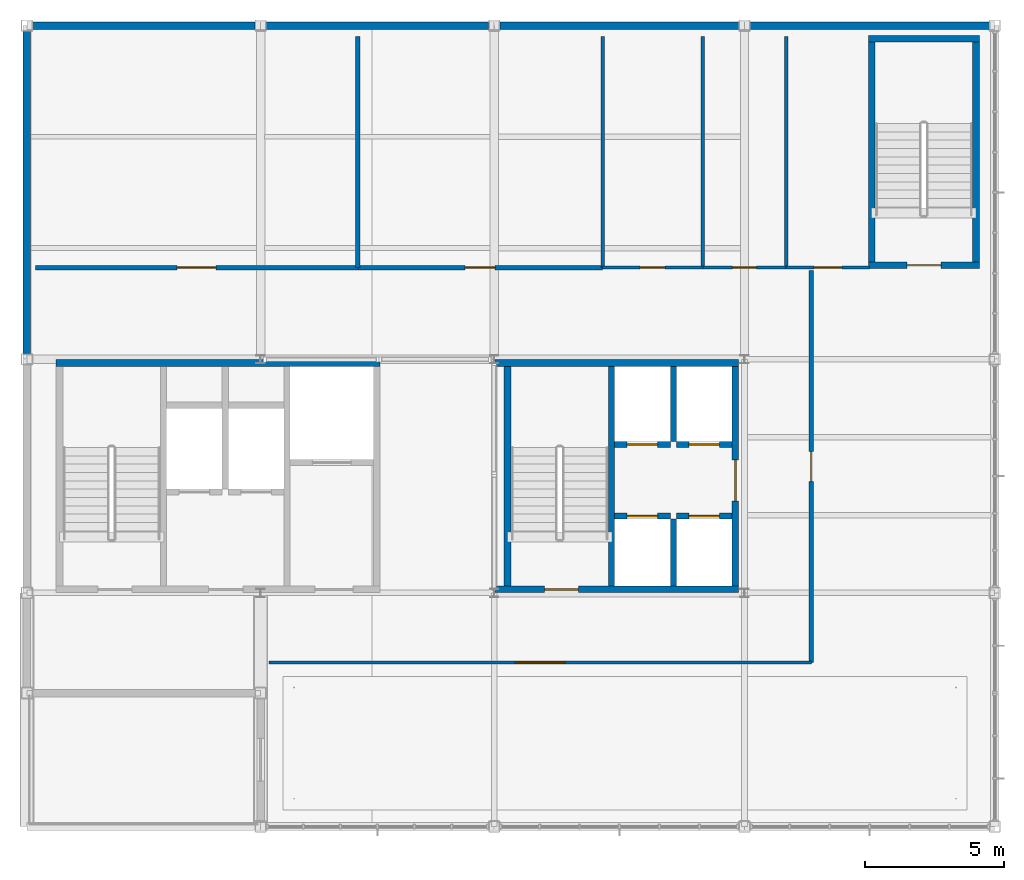
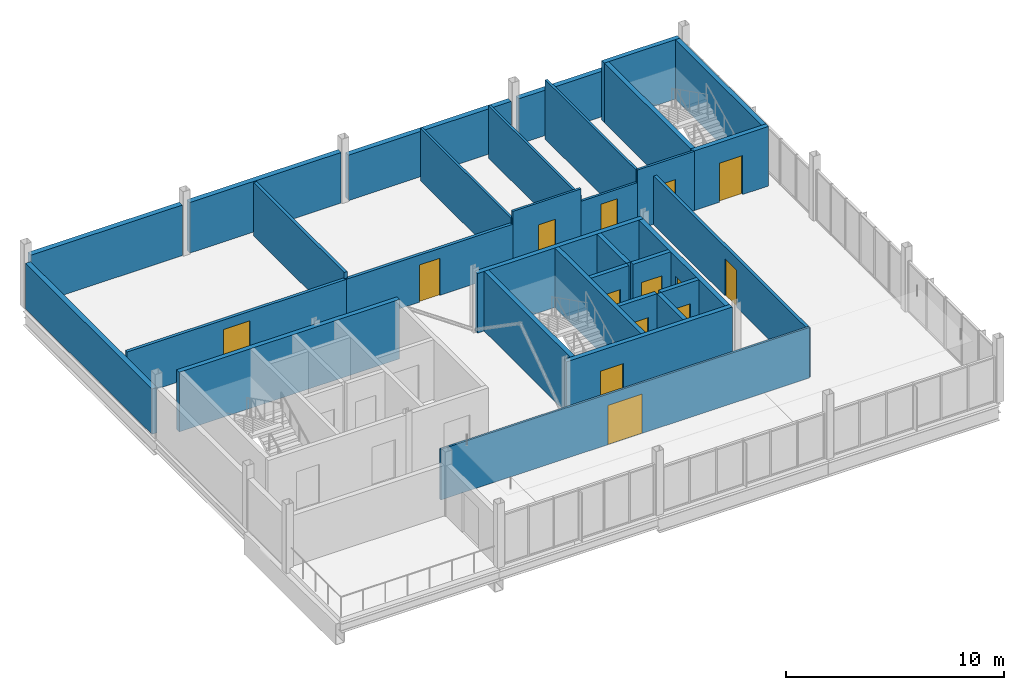
# One storey, part 12 of 17: 32 walls, 14 doors, 14 openings.
"""IFC4 building model written with IfcOpenShell, lengths in metres."""

from ifc_helpers import new_model, si_unit, direction, frame, frame_2d, origin, place, context, subcontext, project, spatial, rectangle, extrude, material, layer, layer_set, type_object, element, fill, save


model = new_model("IFC4")

# Units and contexts
model_context = context("Model", 3, precision=1e-05, world=origin(), true_north=direction((0.0, 1.0)))
body_context = subcontext(model_context, "Body", "Model", "MODEL_VIEW")
ifc_project = project(units=[si_unit("LENGTHUNIT", "METRE"), si_unit("AREAUNIT", "SQUARE_METRE"), si_unit("VOLUMEUNIT", "CUBIC_METRE"), si_unit("PLANEANGLEUNIT", "RADIAN"), si_unit("MASSUNIT", "GRAM", prefix="KILO")], contexts=[model_context])

# Site, building, storey
site_placement = place(None, origin())
site = spatial("IfcSite", under=ifc_project, at=site_placement, CompositionType="ELEMENT")
building_placement = place(site_placement, origin())
building = spatial("IfcBuilding", under=site, at=building_placement, Name="Yukiwa Park Conservatory and Herbarium", CompositionType="ELEMENT")
storey_placement = place(building_placement, frame((0.0, 0.0, 57.60009765625)))
storey = spatial("IfcBuildingStorey", under=building, at=storey_placement, Name="L15", CompositionType="ELEMENT", Elevation=57.60009765625)

# Walls
ifc_material_1 = material(Name="Concrete C40", Category="concrete")
ifc_layer_1 = layer(ifc_material_1, 0.219970703125)
ifc_layer_set_1 = layer_set([ifc_layer_1], Name="Concrete C40")
wall_type_1 = type_object("IfcWallType", Name="WL-CORE-RC220", PredefinedType="SHEAR", material=ifc_layer_set_1)
wall_1_placement = place(storey_placement, frame((154.219970703125, 95.050048828125, 0.0), z_axis=(0.0, 0.0, 1.0), x_axis=(0.0, 1.0, 0.0)))
element("IfcWall", 1, at=wall_1_placement, inside=storey, type_object=wall_type_1, Name="L15 core shear wall 838", PredefinedType="SHEAR", context=body_context, shape_type="SweptSolid", body=[
    extrude(rectangle(XDim=7.89990234375, YDim=0.219970703125, at=frame_2d((3.949951171875, 0.0))), origin(), (0.0, 0.0, 1.0), 3.329833984375),
])
wall_2_placement = place(storey_placement, frame((156.43994140625, 100.25, 0.0), z_axis=(0.0, 0.0, 1.0), x_axis=(0.0, 1.0, 0.0)))
element("IfcWall", 2, at=wall_2_placement, inside=storey, type_object=wall_type_1, Name="L15 core shear wall 840", PredefinedType="SHEAR", context=body_context, shape_type="SweptSolid", body=[
    extrude(rectangle(XDim=2.699951171875, YDim=0.219970703125, at=frame_2d((1.35009765625, 0.0))), origin(), (0.0, 0.0, 1.0), 3.329833984375),
])

# Wall, opening, door
wall_3_placement = place(storey_placement, frame((154.330078125, 100.139892578125, 0.0), z_axis=(0.0, 0.0, 1.0), x_axis=(1.0, 0.0, 0.0)))
wall_3 = element("IfcWall", 3, at=wall_3_placement, inside=storey, type_object=wall_type_1, Name="L15 core shear wall 841", PredefinedType="SHEAR", context=body_context, shape_type="SweptSolid", body=[
    extrude(rectangle(XDim=2.0, YDim=0.219970703125, at=frame_2d((1.0, 0.0))), origin(), (0.0, 0.0, 1.0), 3.329833984375),
])
opening_1_placement = place(wall_3_placement, frame((0.449951171875, 0.0, 0.0)))
opening_1 = element("IfcOpeningElement", 4, at=opening_1_placement, cuts=wall_3, Name="Opening LD-01", PredefinedType="OPENING", context=body_context, shape_type="SweptSolid", body=[
    extrude(rectangle(XDim=1.10009765625, YDim=2.14990234375, at=frame_2d((0.550048828125, 1.074951171875))), frame((0.0, 0.1201171875, 0.0), z_axis=(0.0, -1.0, 0.0), x_axis=(1.0, 0.0, 0.0)), (0.0, 0.0, 1.0), 0.239990234375),
])
ifc_material_2 = material(Name="Steel Q235B", Category="steel")
door_type_1 = type_object("IfcDoorType", Name="DR-LIFT-LD1100", OperationType="SLIDING_TO_LEFT", PredefinedType="DOOR", material=ifc_material_2)
door_1_placement = place(opening_1_placement, origin())
door_1 = element("IfcDoor", 5, at=door_1_placement, inside=storey, type_object=door_type_1, Name="L15 Passenger Lift LP1 sliding landing door", OperationType="SLIDING_TO_LEFT", OverallHeight=2.14990234375, OverallWidth=1.10009765625, PredefinedType="DOOR", context=body_context, shape_type="SweptSolid", body=[
    extrude(rectangle(XDim=1.10009765625, YDim=2.14990234375, at=frame_2d((0.550048828125, 1.074951171875))), frame((0.0, 0.02490234375, 0.0), z_axis=(0.0, -1.0, 0.0), x_axis=(1.0, 0.0, 0.0)), (0.0, 0.0, 1.0), 0.050048828125),
])
fill(opening_1, door_1)

wall_4_placement = place(storey_placement, frame((156.550048828125, 100.139892578125, 0.0), z_axis=(0.0, 0.0, 1.0), x_axis=(1.0, 0.0, 0.0)))
wall_4 = element("IfcWall", 6, at=wall_4_placement, inside=storey, type_object=wall_type_1, Name="L15 core shear wall 842", PredefinedType="SHEAR", context=body_context, shape_type="SweptSolid", body=[
    extrude(rectangle(XDim=2.0, YDim=0.219970703125, at=frame_2d((1.0, 0.0))), origin(), (0.0, 0.0, 1.0), 3.329833984375),
])
opening_2_placement = place(wall_4_placement, frame((0.449951171875, 0.0, 0.0)))
opening_2 = element("IfcOpeningElement", 7, at=opening_2_placement, cuts=wall_4, Name="Opening LD-01", PredefinedType="OPENING", context=body_context, shape_type="SweptSolid", body=[
    extrude(rectangle(XDim=1.10009765625, YDim=2.14990234375, at=frame_2d((0.550048828125, 1.074951171875))), frame((0.0, 0.1201171875, 0.0), z_axis=(0.0, -1.0, 0.0), x_axis=(1.0, 0.0, 0.0)), (0.0, 0.0, 1.0), 0.239990234375),
])
door_2_placement = place(opening_2_placement, origin())
door_2 = element("IfcDoor", 8, at=door_2_placement, inside=storey, type_object=door_type_1, Name="L15 Passenger Lift LP2 sliding landing door", OperationType="SLIDING_TO_LEFT", OverallHeight=2.14990234375, OverallWidth=1.10009765625, PredefinedType="DOOR", context=body_context, shape_type="SweptSolid", body=[
    extrude(rectangle(XDim=1.10009765625, YDim=2.14990234375, at=frame_2d((0.550048828125, 1.074951171875))), frame((0.0, 0.02490234375, 0.0), z_axis=(0.0, -1.0, 0.0), x_axis=(1.0, 0.0, 0.0)), (0.0, 0.0, 1.0), 0.050048828125),
])
fill(opening_2, door_2)

# Wall
wall_5_placement = place(storey_placement, frame((156.43994140625, 95.050048828125, 0.0), z_axis=(0.0, 0.0, 1.0), x_axis=(0.0, 1.0, 0.0)))
element("IfcWall", 9, at=wall_5_placement, inside=storey, type_object=wall_type_1, Name="L15 core shear wall 843", PredefinedType="SHEAR", context=body_context, shape_type="SweptSolid", body=[
    extrude(rectangle(XDim=2.39990234375, YDim=0.219970703125, at=frame_2d((1.199951171875, 0.0))), origin(), (0.0, 0.0, 1.0), 3.329833984375),
])

# Wall, opening, door
wall_6_placement = place(storey_placement, frame((154.330078125, 97.56005859375, 0.0), z_axis=(0.0, 0.0, 1.0), x_axis=(1.0, 0.0, 0.0)))
wall_6 = element("IfcWall", 10, at=wall_6_placement, inside=storey, type_object=wall_type_1, Name="L15 core shear wall 844", PredefinedType="SHEAR", context=body_context, shape_type="SweptSolid", body=[
    extrude(rectangle(XDim=2.0, YDim=0.219970703125, at=frame_2d((1.0, 0.0))), origin(), (0.0, 0.0, 1.0), 3.329833984375),
])
opening_3_placement = place(wall_6_placement, frame((0.449951171875, 0.0, 0.0)))
opening_3 = element("IfcOpeningElement", 11, at=opening_3_placement, cuts=wall_6, Name="Opening LD-01", PredefinedType="OPENING", context=body_context, shape_type="SweptSolid", body=[
    extrude(rectangle(XDim=1.10009765625, YDim=2.14990234375, at=frame_2d((0.550048828125, 1.074951171875))), frame((0.0, 0.1201171875, 0.0), z_axis=(0.0, -1.0, 0.0), x_axis=(1.0, 0.0, 0.0)), (0.0, 0.0, 1.0), 0.239990234375),
])
door_3_placement = place(opening_3_placement, origin())
door_3 = element("IfcDoor", 12, at=door_3_placement, inside=storey, type_object=door_type_1, Name="L15 Passenger Lift LP3 sliding landing door", OperationType="SLIDING_TO_LEFT", OverallHeight=2.14990234375, OverallWidth=1.10009765625, PredefinedType="DOOR", context=body_context, shape_type="SweptSolid", body=[
    extrude(rectangle(XDim=1.10009765625, YDim=2.14990234375, at=frame_2d((0.550048828125, 1.074951171875))), frame((0.0, 0.02490234375, 0.0), z_axis=(0.0, -1.0, 0.0), x_axis=(1.0, 0.0, 0.0)), (0.0, 0.0, 1.0), 0.050048828125),
])
fill(opening_3, door_3)

wall_7_placement = place(storey_placement, frame((156.550048828125, 97.56005859375, 0.0), z_axis=(0.0, 0.0, 1.0), x_axis=(1.0, 0.0, 0.0)))
wall_7 = element("IfcWall", 13, at=wall_7_placement, inside=storey, type_object=wall_type_1, Name="L15 core shear wall 845", PredefinedType="SHEAR", context=body_context, shape_type="SweptSolid", body=[
    extrude(rectangle(XDim=2.0, YDim=0.219970703125, at=frame_2d((1.0, 0.0))), origin(), (0.0, 0.0, 1.0), 3.329833984375),
])
opening_4_placement = place(wall_7_placement, frame((0.449951171875, 0.0, 0.0)))
opening_4 = element("IfcOpeningElement", 14, at=opening_4_placement, cuts=wall_7, Name="Opening LD-01", PredefinedType="OPENING", context=body_context, shape_type="SweptSolid", body=[
    extrude(rectangle(XDim=1.10009765625, YDim=2.14990234375, at=frame_2d((0.550048828125, 1.074951171875))), frame((0.0, 0.1201171875, 0.0), z_axis=(0.0, -1.0, 0.0), x_axis=(1.0, 0.0, 0.0)), (0.0, 0.0, 1.0), 0.239990234375),
])
door_4_placement = place(opening_4_placement, origin())
door_4 = element("IfcDoor", 15, at=door_4_placement, inside=storey, type_object=door_type_1, Name="L15 Passenger Lift LP4 sliding landing door", OperationType="SLIDING_TO_LEFT", OverallHeight=2.14990234375, OverallWidth=1.10009765625, PredefinedType="DOOR", context=body_context, shape_type="SweptSolid", body=[
    extrude(rectangle(XDim=1.10009765625, YDim=2.14990234375, at=frame_2d((0.550048828125, 1.074951171875))), frame((0.0, 0.02490234375, 0.0), z_axis=(0.0, -1.0, 0.0), x_axis=(1.0, 0.0, 0.0)), (0.0, 0.0, 1.0), 0.050048828125),
])
fill(opening_4, door_4)

# Wall
ifc_material_3 = material(Name="Concrete C50", Category="concrete")
ifc_layer_2 = layer(ifc_material_3, 0.239990234375)
ifc_layer_set_2 = layer_set([ifc_layer_2], Name="Concrete C50")
wall_type_2 = type_object("IfcWallType", Name="WL-CORE-RC240", PredefinedType="SHEAR", material=ifc_layer_set_2)
wall_8_placement = place(storey_placement, frame((134.25, 103.070068359375, 0.0), z_axis=(0.0, 0.0, 1.0), x_axis=(1.0, 0.0, 0.0)))
element("IfcWall", 16, at=wall_8_placement, inside=storey, type_object=wall_type_2, Name="L15 core shear wall 824", PredefinedType="SHEAR", context=body_context, shape_type="SweptSolid", body=[
    extrude(rectangle(XDim=11.64990234375, YDim=0.239990234375, at=frame_2d((5.824951171875, 0.0))), origin(), (0.0, 0.0, 1.0), 3.329833984375),
])

# Wall, opening, door
wall_9_placement = place(storey_placement, frame((150.02001953125, 94.929931640625, 0.0), z_axis=(0.0, 0.0, 1.0), x_axis=(1.0, 0.0, 0.0)))
wall_9 = element("IfcWall", 17, at=wall_9_placement, inside=storey, type_object=wall_type_2, Name="L15 core shear wall 835", PredefinedType="SHEAR", context=body_context, shape_type="SweptSolid", body=[
    extrude(rectangle(XDim=8.77001953125, YDim=0.239990234375, at=frame_2d((4.385009765625, 0.0))), origin(), (0.0, 0.0, 1.0), 3.329833984375),
])
opening_5_placement = place(wall_9_placement, frame((1.7900390625, 0.0, 0.0)))
opening_5 = element("IfcOpeningElement", 18, at=opening_5_placement, cuts=wall_9, Name="Opening SD-01", PredefinedType="OPENING", context=body_context, shape_type="SweptSolid", body=[
    extrude(rectangle(XDim=1.219970703125, YDim=2.179931640625, at=frame_2d((0.60986328125, 1.08984375))), frame((0.0, 0.1298828125, 0.0), z_axis=(0.0, -1.0, 0.0), x_axis=(1.0, 0.0, 0.0)), (0.0, 0.0, 1.0), 0.260009765625),
])
ifc_material_4 = material(Name="Steel Q235B", Category="steel")
door_type_2 = type_object("IfcDoorType", Name="DR-STAIR-FD90-1200", OperationType="SINGLE_SWING_LEFT", PredefinedType="DOOR", material=ifc_material_4)
door_5_placement = place(opening_5_placement, origin())
door_5 = element("IfcDoor", 19, at=door_5_placement, inside=storey, type_object=door_type_2, Name="L15 Stairwell ST-T2 fire door", OperationType="SINGLE_SWING_LEFT", OverallHeight=2.179931640625, OverallWidth=1.219970703125, PredefinedType="DOOR", context=body_context, shape_type="SweptSolid", body=[
    extrude(rectangle(XDim=1.219970703125, YDim=2.179931640625, at=frame_2d((0.60986328125, 1.08984375))), frame((0.0, 0.02490234375, 0.0), z_axis=(0.0, -1.0, 0.0), x_axis=(1.0, 0.0, 0.0)), (0.0, 0.0, 1.0), 0.050048828125),
])
fill(opening_5, door_5)

# Walls
wall_10_placement = place(storey_placement, frame((150.02001953125, 103.070068359375, 0.0), z_axis=(0.0, 0.0, 1.0), x_axis=(1.0, 0.0, 0.0)))
element("IfcWall", 20, at=wall_10_placement, inside=storey, type_object=wall_type_2, Name="L15 core shear wall 836", PredefinedType="SHEAR", context=body_context, shape_type="SweptSolid", body=[
    extrude(rectangle(XDim=8.77001953125, YDim=0.239990234375, at=frame_2d((4.385009765625, 0.0))), origin(), (0.0, 0.0, 1.0), 3.329833984375),
])
wall_11_placement = place(storey_placement, frame((150.47998046875, 95.050048828125, 0.0), z_axis=(0.0, 0.0, 1.0), x_axis=(0.0, 1.0, 0.0)))
element("IfcWall", 21, at=wall_11_placement, inside=storey, type_object=wall_type_2, Name="L15 core shear wall 837", PredefinedType="SHEAR", context=body_context, shape_type="SweptSolid", body=[
    extrude(rectangle(XDim=7.89990234375, YDim=0.239990234375, at=frame_2d((3.949951171875, 0.0))), origin(), (0.0, 0.0, 1.0), 3.329833984375),
])

# Wall, opening, door
wall_12_placement = place(storey_placement, frame((158.669921875, 95.050048828125, 0.0), z_axis=(0.0, 0.0, 1.0), x_axis=(0.0, 1.0, 0.0)))
wall_12 = element("IfcWall", 22, at=wall_12_placement, inside=storey, type_object=wall_type_2, Name="L15 core shear wall 839", PredefinedType="SHEAR", context=body_context, shape_type="SweptSolid", body=[
    extrude(rectangle(XDim=7.89990234375, YDim=0.239990234375, at=frame_2d((3.949951171875, 0.0))), origin(), (0.0, 0.0, 1.0), 3.329833984375),
])
opening_6_placement = place(wall_12_placement, frame((3.050048828125, 0.0, 0.0)))
opening_6 = element("IfcOpeningElement", 23, at=opening_6_placement, cuts=wall_12, Name="Opening FD-07", PredefinedType="OPENING", context=body_context, shape_type="SweptSolid", body=[
    extrude(rectangle(XDim=1.47998046875, YDim=2.219970703125, at=frame_2d((0.739990234375, 1.10986328125))), frame((0.0, 0.1298828125, 0.0), z_axis=(0.0, -1.0, 0.0), x_axis=(1.0, 0.0, 0.0)), (0.0, 0.0, 1.0), 0.260009765625),
])
ifc_material_5 = material(Name="Steel Q235B", Category="steel")
door_type_3 = type_object("IfcDoorType", Name="DR-FIRE-FD60-1500", OperationType="DOUBLE_DOOR_SINGLE_SWING", PredefinedType="DOOR", material=ifc_material_5)
door_6_placement = place(opening_6_placement, origin())
door_6 = element("IfcDoor", 24, at=door_6_placement, inside=storey, type_object=door_type_3, Name="L15 Tower Passenger Lift Lobby double fire door", OperationType="DOUBLE_DOOR_SINGLE_SWING", OverallHeight=2.219970703125, OverallWidth=1.47998046875, PredefinedType="DOOR", context=body_context, shape_type="SweptSolid", body=[
    extrude(rectangle(XDim=1.47998046875, YDim=2.219970703125, at=frame_2d((0.739990234375, 1.10986328125))), frame((0.0, 0.02490234375, 0.0), z_axis=(0.0, -1.0, 0.0), x_axis=(1.0, 0.0, 0.0)), (0.0, 0.0, 1.0), 0.050048828125),
])
fill(opening_6, door_6)

wall_13_placement = place(storey_placement, frame((163.449951171875, 106.580078125, 0.0), z_axis=(0.0, 0.0, 1.0), x_axis=(1.0, 0.0, 0.0)))
wall_13 = element("IfcWall", 25, at=wall_13_placement, inside=storey, type_object=wall_type_2, Name="L15 core shear wall 846", PredefinedType="SHEAR", context=body_context, shape_type="SweptSolid", body=[
    extrude(rectangle(XDim=3.989990234375, YDim=0.239990234375, at=frame_2d((1.9951171875, 0.0))), origin(), (0.0, 0.0, 1.0), 3.329833984375),
])
opening_7_placement = place(wall_13_placement, frame((1.39501953125, 0.0, 0.0)))
opening_7 = element("IfcOpeningElement", 26, at=opening_7_placement, cuts=wall_13, Name="Opening SD-01", PredefinedType="OPENING", context=body_context, shape_type="SweptSolid", body=[
    extrude(rectangle(XDim=1.219970703125, YDim=2.179931640625, at=frame_2d((0.60986328125, 1.08984375))), frame((0.0, 0.1298828125, 0.0), z_axis=(0.0, -1.0, 0.0), x_axis=(1.0, 0.0, 0.0)), (0.0, 0.0, 1.0), 0.260009765625),
])
door_7_placement = place(opening_7_placement, origin())
door_7 = element("IfcDoor", 27, at=door_7_placement, inside=storey, type_object=door_type_2, Name="L15 Stairwell ST-T3 fire door", OperationType="SINGLE_SWING_LEFT", OverallHeight=2.179931640625, OverallWidth=1.219970703125, PredefinedType="DOOR", context=body_context, shape_type="SweptSolid", body=[
    extrude(rectangle(XDim=1.219970703125, YDim=2.179931640625, at=frame_2d((0.60986328125, 1.08984375))), frame((0.0, 0.02490234375, 0.0), z_axis=(0.0, -1.0, 0.0), x_axis=(1.0, 0.0, 0.0)), (0.0, 0.0, 1.0), 0.050048828125),
])
fill(opening_7, door_7)

# Walls
wall_14_placement = place(storey_placement, frame((163.449951171875, 114.719970703125, 0.0), z_axis=(0.0, 0.0, 1.0), x_axis=(1.0, 0.0, 0.0)))
element("IfcWall", 28, at=wall_14_placement, inside=storey, type_object=wall_type_2, Name="L15 core shear wall 847", PredefinedType="SHEAR", context=body_context, shape_type="SweptSolid", body=[
    extrude(rectangle(XDim=3.989990234375, YDim=0.239990234375, at=frame_2d((1.9951171875, 0.0))), origin(), (0.0, 0.0, 1.0), 3.329833984375),
])
for number, where, z_axis, x_axis, name in (
    (29, (163.570068359375, 106.699951171875, 0.0), (0.0, 0.0, 1.0), (0.0, 1.0, 0.0), "L15 core shear wall 848"),
    (30, (167.320068359375, 106.699951171875, 0.0), (0.0, 0.0, 1.0), (0.0, 1.0, 0.0), "L15 core shear wall 849"),
):
    element("IfcWall", number, at=place(storey_placement, frame(where, z_axis=z_axis, x_axis=x_axis)), inside=storey, type_object=wall_type_2, Name=name, PredefinedType="SHEAR", context=body_context, shape_type="SweptSolid", body=[
        extrude(rectangle(XDim=7.900146484375, YDim=0.239990234375, at=frame_2d((3.9501953125, 0.0))), origin(), (0.0, 0.0, 1.0), 3.329833984375),
    ])
ifc_material_6 = material(Name="Anodised Aluminium", Category="aluminium")
ifc_layer_3 = layer(ifc_material_6, 0.27001953125)
ifc_layer_set_3 = layer_set([ifc_layer_3], Name="Anodised Aluminium")
wall_type_3 = type_object("IfcWallType", Name="WL-EXT-CROWN-270", PredefinedType="SOLIDWALL", material=ifc_layer_set_3)
for number, where, z_axis, x_axis, name in (
    (31, (167.800048828125, 115.199951171875, 0.0), (0.0, 0.0, 1.0), (-1.0, 0.0, 0.0), "L15 exterior envelope wall 394"),
    (32, (158.800048828125, 115.199951171875, 0.0), (0.0, 0.0, 1.0), (-1.0, 0.0, 0.0), "L15 exterior envelope wall 395"),
):
    element("IfcWall", number, at=place(storey_placement, frame(where, z_axis=z_axis, x_axis=x_axis)), inside=storey, type_object=wall_type_3, Name=name, PredefinedType="SOLIDWALL", context=body_context, shape_type="SweptSolid", body=[
        extrude(rectangle(XDim=8.60009765625, YDim=0.27001953125, at=frame_2d((4.300048828125, 0.0))), origin(), (0.0, 0.0, 1.0), 2.537841796875),
    ])
for number, where, z_axis, x_axis, name in (
    (33, (149.800048828125, 115.199951171875, 0.0), (0.0, 0.0, 1.0), (-1.0, 0.0, 0.0), "L15 exterior envelope wall 396"),
    (34, (141.39990234375, 115.199951171875, 0.0), (0.0, 0.0, 1.0), (-1.0, 0.0, 0.0), "L15 exterior envelope wall 397"),
):
    element("IfcWall", number, at=place(storey_placement, frame(where, z_axis=z_axis, x_axis=x_axis)), inside=storey, type_object=wall_type_3, Name=name, PredefinedType="SOLIDWALL", context=body_context, shape_type="SweptSolid", body=[
        extrude(rectangle(XDim=8.0, YDim=0.27001953125, at=frame_2d((4.0, 0.0))), origin(), (0.0, 0.0, 1.0), 2.829833984375),
    ])
wall_15_placement = place(storey_placement, frame((133.199951171875, 115.0, 0.0), z_axis=(0.0, 0.0, 1.0), x_axis=(0.0, -1.0, 0.0)))
element("IfcWall", 35, at=wall_15_placement, inside=storey, type_object=wall_type_3, Name="L15 exterior envelope wall 398", PredefinedType="SOLIDWALL", context=body_context, shape_type="SweptSolid", body=[
    extrude(rectangle(XDim=11.60009765625, YDim=0.27001953125, at=frame_2d((5.800048828125, 0.0))), origin(), (0.0, 0.0, 1.0), 2.537841796875),
])

# Wall, opening, door
ifc_material_7 = material(Name="Laminated Tempered Safety Glass", Category="glass")
ifc_layer_4 = layer(ifc_material_7, 0.10009765625)
ifc_layer_set_4 = layer_set([ifc_layer_4], Name="Laminated Tempered Safety Glass")
wall_type_4 = type_object("IfcWallType", Name="WL-PART-GLZ-150", PredefinedType="PARTITIONING", material=ifc_layer_set_4)
wall_16_placement = place(storey_placement, frame((141.89990234375, 92.300048828125, 0.0), z_axis=(0.0, 0.0, 1.0), x_axis=(1.0, 0.0, 0.0)))
wall_16 = element("IfcWall", 36, at=wall_16_placement, inside=storey, type_object=wall_type_4, Name="L15 interior partition wall 857", PredefinedType="PARTITIONING", context=body_context, shape_type="SweptSolid", body=[
    extrude(rectangle(XDim=19.5, YDim=0.10009765625, at=frame_2d((9.75, 0.0))), origin(), (0.0, 0.0, 1.0), 2.829833984375),
])
opening_8_placement = place(wall_16_placement, frame((8.85009765625, 0.0, 0.0)))
opening_8 = element("IfcOpeningElement", 37, at=opening_8_placement, cuts=wall_16, Name="Opening GD-18", PredefinedType="OPENING", context=body_context, shape_type="SweptSolid", body=[
    extrude(rectangle(XDim=1.800048828125, YDim=2.199951171875, at=frame_2d((0.89990234375, 1.10009765625))), frame((0.0, 0.06005859375, 0.0), z_axis=(0.0, -1.0, 0.0), x_axis=(1.0, 0.0, 0.0)), (0.0, 0.0, 1.0), 0.1201171875),
])
ifc_material_8 = material(Name="Laminated Tempered Safety Glass", Category="glass")
door_type_4 = type_object("IfcDoorType", Name="DR-GLZ-1800", OperationType="DOUBLE_DOOR_SINGLE_SWING", PredefinedType="DOOR", material=ifc_material_8)
door_8_placement = place(opening_8_placement, origin())
door_8 = element("IfcDoor", 38, at=door_8_placement, inside=storey, type_object=door_type_4, Name="L15 Sky Observation Gallery double door", OperationType="DOUBLE_DOOR_SINGLE_SWING", OverallHeight=2.199951171875, OverallWidth=1.800048828125, PredefinedType="DOOR", context=body_context, shape_type="SweptSolid", body=[
    extrude(rectangle(XDim=1.800048828125, YDim=2.199951171875, at=frame_2d((0.89990234375, 1.10009765625))), frame((0.0, 0.02490234375, 0.0), z_axis=(0.0, -1.0, 0.0), x_axis=(1.0, 0.0, 0.0)), (0.0, 0.0, 1.0), 0.050048828125),
])
fill(opening_8, door_8)

ifc_material_9 = material(Name="Gypsum Board Partition", Category="gypsum")
ifc_layer_5 = layer(ifc_material_9, 0.159912109375)
ifc_layer_set_5 = layer_set([ifc_layer_5], Name="Gypsum Board Partition")
wall_type_5 = type_object("IfcWallType", Name="WL-PART-GYP-160", PredefinedType="PARTITIONING", material=ifc_layer_set_5)
wall_17_placement = place(storey_placement, frame((161.39990234375, 92.300048828125, 0.0), z_axis=(0.0, 0.0, 1.0), x_axis=(0.0, 1.0, 0.0)))
wall_17 = element("IfcWall", 39, at=wall_17_placement, inside=storey, type_object=wall_type_5, Name="L15 interior partition wall 856", PredefinedType="PARTITIONING", context=body_context, shape_type="SweptSolid", body=[
    extrude(rectangle(XDim=14.099853515625, YDim=0.159912109375, at=frame_2d((7.0498046875, 0.0))), origin(), (0.0, 0.0, 1.0), 2.73388671875),
])
opening_9_placement = place(wall_17_placement, frame((6.5, 0.0, 0.0)))
opening_9 = element("IfcOpeningElement", 40, at=opening_9_placement, cuts=wall_17, Name="Opening ID-11", PredefinedType="OPENING", context=body_context, shape_type="SweptSolid", body=[
    extrude(rectangle(XDim=1.080078125, YDim=2.080078125, at=frame_2d((0.5400390625, 1.0400390625))), frame((0.0, 0.08984375, 0.0), z_axis=(0.0, -1.0, 0.0), x_axis=(1.0, 0.0, 0.0)), (0.0, 0.0, 1.0), 0.179931640625),
])
ifc_material_10 = material(Name="Charred Larch Cladding", Category="wood")
door_type_5 = type_object("IfcDoorType", Name="DR-INT-1100", OperationType="SINGLE_SWING_RIGHT", PredefinedType="DOOR", material=ifc_material_10)
door_9_placement = place(opening_9_placement, origin())
door_9 = element("IfcDoor", 41, at=door_9_placement, inside=storey, type_object=door_type_5, Name="L15 L15 east room door", OperationType="SINGLE_SWING_RIGHT", OverallHeight=2.080078125, OverallWidth=1.080078125, PredefinedType="DOOR", context=body_context, shape_type="SweptSolid", body=[
    extrude(rectangle(XDim=1.080078125, YDim=2.080078125, at=frame_2d((0.5400390625, 1.0400390625))), frame((0.0, 0.02490234375, 0.0), z_axis=(0.0, -1.0, 0.0), x_axis=(1.0, 0.0, 0.0)), (0.0, 0.0, 1.0), 0.050048828125),
])
fill(opening_9, door_9)

wall_18_placement = place(storey_placement, frame((133.5, 106.5, 0.0), z_axis=(0.0, 0.0, 1.0), x_axis=(1.0, 0.0, 0.0)))
wall_18 = element("IfcWall", 42, at=wall_18_placement, inside=storey, type_object=wall_type_5, Name="L15 interior partition wall 858", PredefinedType="PARTITIONING", context=body_context, shape_type="SweptSolid", body=[
    extrude(rectangle(XDim=11.60009765625, YDim=0.159912109375, at=frame_2d((5.800048828125, 0.0))), origin(), (0.0, 0.0, 1.0), 2.6298828125),
])
opening_10_placement = place(wall_18_placement, frame((5.10009765625, 0.0, 0.0)))
opening_10 = element("IfcOpeningElement", 43, at=opening_10_placement, cuts=wall_18, Name="Opening GD-14", PredefinedType="OPENING", context=body_context, shape_type="SweptSolid", body=[
    extrude(rectangle(XDim=1.39990234375, YDim=2.10009765625, at=frame_2d((0.699951171875, 1.050048828125))), frame((0.0, 0.08984375, 0.0), z_axis=(0.0, -1.0, 0.0), x_axis=(1.0, 0.0, 0.0)), (0.0, 0.0, 1.0), 0.179931640625),
])
ifc_material_11 = material(Name="Laminated Tempered Safety Glass", Category="glass")
door_type_6 = type_object("IfcDoorType", Name="DR-GLZ-1400", OperationType="DOUBLE_DOOR_SINGLE_SWING", PredefinedType="DOOR", material=ifc_material_11)
door_10_placement = place(opening_10_placement, origin())
door_10 = element("IfcDoor", 44, at=door_10_placement, inside=storey, type_object=door_type_6, Name="L15 Sky Exhibition Room door", OperationType="DOUBLE_DOOR_SINGLE_SWING", OverallHeight=2.10009765625, OverallWidth=1.39990234375, PredefinedType="DOOR", context=body_context, shape_type="SweptSolid", body=[
    extrude(rectangle(XDim=1.39990234375, YDim=2.10009765625, at=frame_2d((0.699951171875, 1.050048828125))), frame((0.0, 0.02490234375, 0.0), z_axis=(0.0, -1.0, 0.0), x_axis=(1.0, 0.0, 0.0)), (0.0, 0.0, 1.0), 0.050048828125),
])
fill(opening_10, door_10)

wall_19_placement = place(storey_placement, frame((145.10009765625, 106.5, 0.0), z_axis=(0.0, 0.0, 1.0), x_axis=(1.0, 0.0, 0.0)))
wall_19 = element("IfcWall", 45, at=wall_19_placement, inside=storey, type_object=wall_type_5, Name="L15 interior partition wall 859", PredefinedType="PARTITIONING", context=body_context, shape_type="SweptSolid", body=[
    extrude(rectangle(XDim=8.7998046875, YDim=0.159912109375, at=frame_2d((4.39990234375, 0.0))), origin(), (0.0, 0.0, 1.0), 2.6298828125),
])
opening_11_placement = place(wall_19_placement, frame((3.85009765625, 0.0, 0.0)))
opening_11 = element("IfcOpeningElement", 46, at=opening_11_placement, cuts=wall_19, Name="Opening ID-11", PredefinedType="OPENING", context=body_context, shape_type="SweptSolid", body=[
    extrude(rectangle(XDim=1.080078125, YDim=2.080078125, at=frame_2d((0.5400390625, 1.0400390625))), frame((0.0, 0.08984375, 0.0), z_axis=(0.0, -1.0, 0.0), x_axis=(1.0, 0.0, 0.0)), (0.0, 0.0, 1.0), 0.179931640625),
])
door_11_placement = place(opening_11_placement, origin())
door_11 = element("IfcDoor", 47, at=door_11_placement, inside=storey, type_object=door_type_5, Name="L15 Lecture Salon door", OperationType="SINGLE_SWING_RIGHT", OverallHeight=2.080078125, OverallWidth=1.080078125, PredefinedType="DOOR", context=body_context, shape_type="SweptSolid", body=[
    extrude(rectangle(XDim=1.080078125, YDim=2.080078125, at=frame_2d((0.5400390625, 1.0400390625))), frame((0.0, 0.02490234375, 0.0), z_axis=(0.0, -1.0, 0.0), x_axis=(1.0, 0.0, 0.0)), (0.0, 0.0, 1.0), 0.050048828125),
])
fill(opening_11, door_11)

# Wall
wall_20_placement = place(storey_placement, frame((145.10009765625, 106.5, 0.0), z_axis=(0.0, 0.0, 1.0), x_axis=(0.0, 1.0, 0.0)))
element("IfcWall", 48, at=wall_20_placement, inside=storey, type_object=wall_type_5, Name="L15 interior partition wall 860", PredefinedType="PARTITIONING", context=body_context, shape_type="SweptSolid", body=[
    extrude(rectangle(XDim=8.300048828125, YDim=0.159912109375, at=frame_2d((4.14990234375, 0.0))), origin(), (0.0, 0.0, 1.0), 2.98388671875),
])

# Wall, opening, door
ifc_material_12 = material(Name="Gypsum Board Partition", Category="gypsum")
ifc_layer_6 = layer(ifc_material_12, 0.1201171875)
ifc_layer_set_6 = layer_set([ifc_layer_6], Name="Gypsum Board Partition")
wall_type_6 = type_object("IfcWallType", Name="WL-PART-WET-150", PredefinedType="PARTITIONING", material=ifc_layer_set_6)
wall_21_placement = place(storey_placement, frame((153.89990234375, 106.5, 0.0), z_axis=(0.0, 0.0, 1.0), x_axis=(1.0, 0.0, 0.0)))
wall_21 = element("IfcWall", 49, at=wall_21_placement, inside=storey, type_object=wall_type_6, Name="L15 interior partition wall 850", PredefinedType="PARTITIONING", context=body_context, shape_type="SweptSolid", body=[
    extrude(rectangle(XDim=3.60009765625, YDim=0.1201171875, at=frame_2d((1.800048828125, 0.0))), origin(), (0.0, 0.0, 1.0), 3.329833984375),
])
opening_12_placement = place(wall_21_placement, frame((1.35009765625, 0.0, 0.0)))
opening_12 = element("IfcOpeningElement", 50, at=opening_12_placement, cuts=wall_21, Name="Opening ID-09", PredefinedType="OPENING", context=body_context, shape_type="SweptSolid", body=[
    extrude(rectangle(XDim=0.89990234375, YDim=2.10009765625, at=frame_2d((0.449951171875, 1.050048828125))), frame((0.0, 0.070068359375, 0.0), z_axis=(0.0, -1.0, 0.0), x_axis=(1.0, 0.0, 0.0)), (0.0, 0.0, 1.0), 0.14013671875),
])
ifc_material_13 = material(Name="Charred Larch Cladding", Category="wood")
door_type_7 = type_object("IfcDoorType", Name="DR-INT-900", OperationType="SINGLE_SWING_LEFT", PredefinedType="DOOR", material=ifc_material_13)
door_12_placement = place(opening_12_placement, origin())
door_12 = element("IfcDoor", 51, at=door_12_placement, inside=storey, type_object=door_type_7, Name="L15 Public WC door", OperationType="SINGLE_SWING_LEFT", OverallHeight=2.10009765625, OverallWidth=0.89990234375, PredefinedType="DOOR", context=body_context, shape_type="SweptSolid", body=[
    extrude(rectangle(XDim=0.89990234375, YDim=2.10009765625, at=frame_2d((0.449951171875, 1.050048828125))), frame((0.0, 0.02490234375, 0.0), z_axis=(0.0, -1.0, 0.0), x_axis=(1.0, 0.0, 0.0)), (0.0, 0.0, 1.0), 0.050048828125),
])
fill(opening_12, door_12)

wall_22_placement = place(storey_placement, frame((157.5, 106.5, 0.0), z_axis=(0.0, 0.0, 1.0), x_axis=(1.0, 0.0, 0.0)))
wall_22 = element("IfcWall", 52, at=wall_22_placement, inside=storey, type_object=wall_type_6, Name="L15 interior partition wall 851", PredefinedType="PARTITIONING", context=body_context, shape_type="SweptSolid", body=[
    extrude(rectangle(XDim=3.0, YDim=0.1201171875, at=frame_2d((1.5, 0.0))), origin(), (0.0, 0.0, 1.0), 2.6298828125),
])
opening_13_placement = place(wall_22_placement, frame((1.074951171875, 0.0, 0.0)))
opening_13 = element("IfcOpeningElement", 53, at=opening_13_placement, cuts=wall_22, Name="Opening ID-85", PredefinedType="OPENING", context=body_context, shape_type="SweptSolid", body=[
    extrude(rectangle(XDim=0.85009765625, YDim=2.10009765625, at=frame_2d((0.425048828125, 1.050048828125))), frame((0.0, 0.070068359375, 0.0), z_axis=(0.0, -1.0, 0.0), x_axis=(1.0, 0.0, 0.0)), (0.0, 0.0, 1.0), 0.14013671875),
])
ifc_material_14 = material(Name="Charred Larch Cladding", Category="wood")
door_type_8 = type_object("IfcDoorType", Name="DR-INT-850", OperationType="SINGLE_SWING_RIGHT", PredefinedType="DOOR", material=ifc_material_14)
door_13_placement = place(opening_13_placement, origin())
door_13 = element("IfcDoor", 54, at=door_13_placement, inside=storey, type_object=door_type_8, Name="L15 Staff WC door", OperationType="SINGLE_SWING_RIGHT", OverallHeight=2.10009765625, OverallWidth=0.85009765625, PredefinedType="DOOR", context=body_context, shape_type="SweptSolid", body=[
    extrude(rectangle(XDim=0.85009765625, YDim=2.10009765625, at=frame_2d((0.425048828125, 1.050048828125))), frame((0.0, 0.02490234375, 0.0), z_axis=(0.0, -1.0, 0.0), x_axis=(1.0, 0.0, 0.0)), (0.0, 0.0, 1.0), 0.050048828125),
])
fill(opening_13, door_13)

wall_23_placement = place(storey_placement, frame((160.5, 106.5, 0.0), z_axis=(0.0, 0.0, 1.0), x_axis=(1.0, 0.0, 0.0)))
wall_23 = element("IfcWall", 55, at=wall_23_placement, inside=storey, type_object=wall_type_6, Name="L15 interior partition wall 852", PredefinedType="PARTITIONING", context=body_context, shape_type="SweptSolid", body=[
    extrude(rectangle(XDim=3.0, YDim=0.1201171875, at=frame_2d((1.5, 0.0))), origin(), (0.0, 0.0, 1.0), 3.329833984375),
])
opening_14_placement = place(wall_23_placement, frame((1.0, 0.0, 0.0)))
opening_14 = element("IfcOpeningElement", 56, at=opening_14_placement, cuts=wall_23, Name="Opening ID-10", PredefinedType="OPENING", context=body_context, shape_type="SweptSolid", body=[
    extrude(rectangle(XDim=1.0, YDim=2.10009765625, at=frame_2d((0.5, 1.050048828125))), frame((0.0, 0.070068359375, 0.0), z_axis=(0.0, -1.0, 0.0), x_axis=(1.0, 0.0, 0.0)), (0.0, 0.0, 1.0), 0.14013671875),
])
ifc_material_15 = material(Name="Charred Larch Cladding", Category="wood")
door_type_9 = type_object("IfcDoorType", Name="DR-ACC-1000", OperationType="SINGLE_SWING_LEFT", PredefinedType="DOOR", material=ifc_material_15)
door_14_placement = place(opening_14_placement, origin())
door_14 = element("IfcDoor", 57, at=door_14_placement, inside=storey, type_object=door_type_9, Name="L15 Accessible WC door", OperationType="SINGLE_SWING_LEFT", OverallHeight=2.10009765625, OverallWidth=1.0, PredefinedType="DOOR", context=body_context, shape_type="SweptSolid", body=[
    extrude(rectangle(XDim=1.0, YDim=2.10009765625, at=frame_2d((0.5, 1.050048828125))), frame((0.0, 0.02490234375, 0.0), z_axis=(0.0, -1.0, 0.0), x_axis=(1.0, 0.0, 0.0)), (0.0, 0.0, 1.0), 0.050048828125),
])
fill(opening_14, door_14)

# Walls
for number, where, z_axis, x_axis, name in (
    (58, (153.89990234375, 106.5, 0.0), (0.0, 0.0, 1.0), (0.0, 1.0, 0.0), "L15 interior partition wall 853"),
    (59, (157.5, 106.5, 0.0), (0.0, 0.0, 1.0), (0.0, 1.0, 0.0), "L15 interior partition wall 854"),
):
    element("IfcWall", number, at=place(storey_placement, frame(where, z_axis=z_axis, x_axis=x_axis)), inside=storey, type_object=wall_type_6, Name=name, PredefinedType="PARTITIONING", context=body_context, shape_type="SweptSolid", body=[
        extrude(rectangle(XDim=8.300048828125, YDim=0.1201171875, at=frame_2d((4.14990234375, 0.0))), origin(), (0.0, 0.0, 1.0), 2.933837890625),
    ])
wall_24_placement = place(storey_placement, frame((160.5, 106.5, 0.0), z_axis=(0.0, 0.0, 1.0), x_axis=(0.0, 1.0, 0.0)))
element("IfcWall", 60, at=wall_24_placement, inside=storey, type_object=wall_type_6, Name="L15 interior partition wall 855", PredefinedType="PARTITIONING", context=body_context, shape_type="SweptSolid", body=[
    extrude(rectangle(XDim=8.300048828125, YDim=0.1201171875, at=frame_2d((4.14990234375, 0.0))), origin(), (0.0, 0.0, 1.0), 3.329833984375),
])

save(model, "model.ifc")
